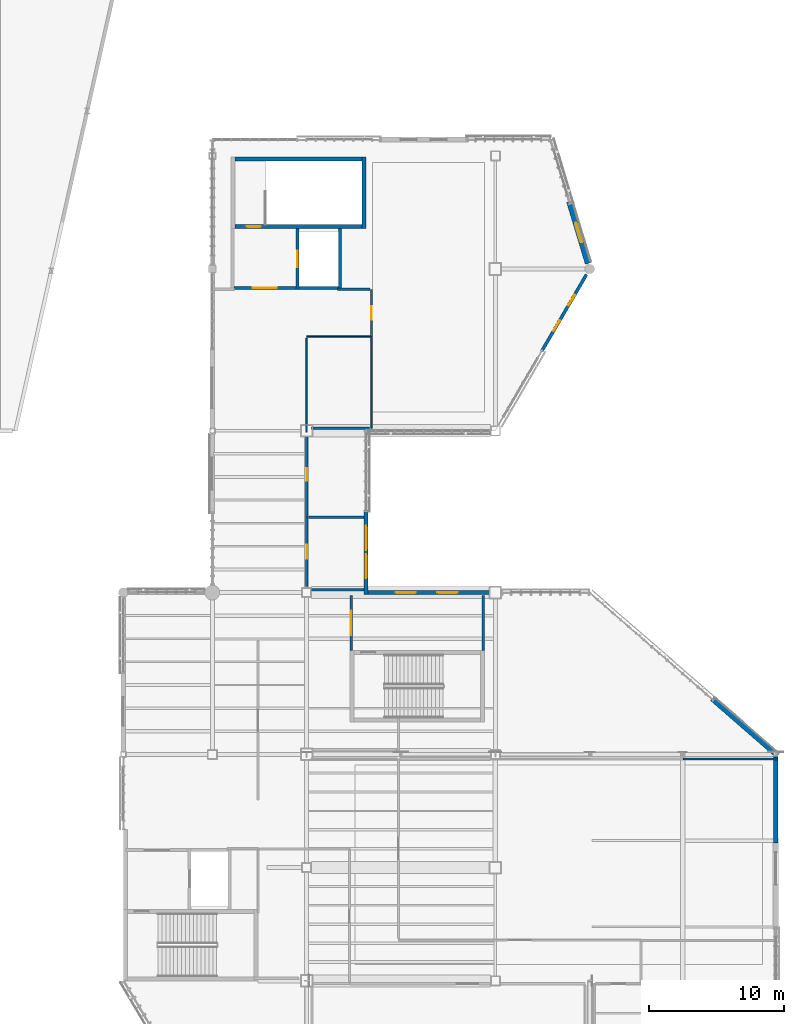
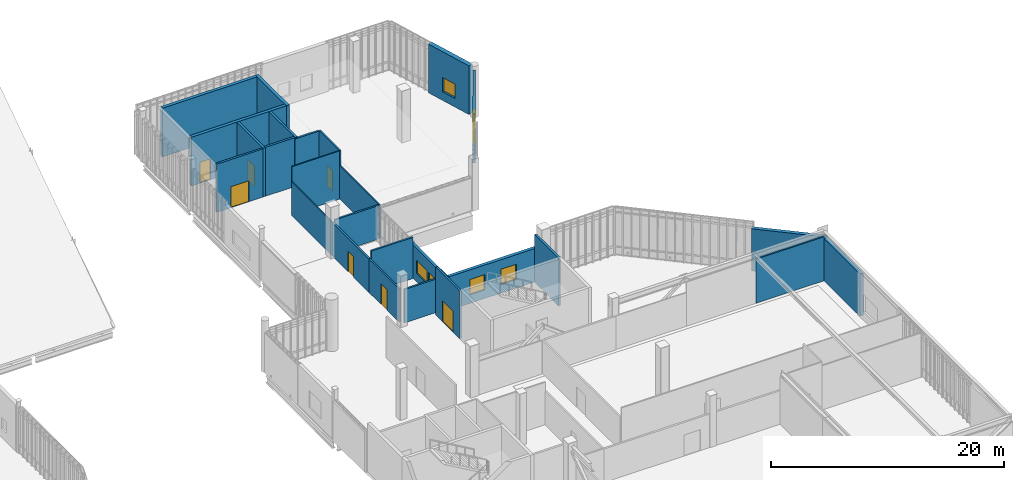
# One storey, part 121 of 135: 26 walls, 7 doors, 7 windows, 14 openings.
"""IFC4 building model written with IfcOpenShell, lengths in metres."""

from ifc_helpers import new_model, si_unit, direction, frame, frame_2d, origin, place, context, subcontext, project, spatial, rectangle, extrude, material, layer, layer_set, type_object, element, fill, save


model = new_model("IFC4")

# Units and contexts
model_context = context("Model", 3, precision=1e-05, world=origin(), true_north=direction((0.0, 1.0)))
body_context = subcontext(model_context, "Body", "Model", "MODEL_VIEW")
ifc_project = project(units=[si_unit("LENGTHUNIT", "METRE"), si_unit("AREAUNIT", "SQUARE_METRE"), si_unit("VOLUMEUNIT", "CUBIC_METRE"), si_unit("PLANEANGLEUNIT", "RADIAN"), si_unit("MASSUNIT", "GRAM", prefix="KILO")], contexts=[model_context])

# Site, building, storey
site_placement = place(None, origin())
site = spatial("IfcSite", under=ifc_project, at=site_placement, CompositionType="ELEMENT")
building_placement = place(site_placement, origin())
building = spatial("IfcBuilding", under=site, at=building_placement, Name="Larkvane Passage Sports Hall", CompositionType="ELEMENT")
storey_placement = place(building_placement, frame((0.0, 0.0, 16.800048828125)))
storey = spatial("IfcBuildingStorey", under=building, at=storey_placement, Name="L03", CompositionType="ELEMENT", Elevation=16.800048828125)

# Wall
ifc_material_1 = material(Name="Concrete C50/60", Category="concrete")
ifc_layer_1 = layer(ifc_material_1, 0.360107421875)
ifc_layer_set_1 = layer_set([ifc_layer_1], Name="Concrete C50/60")
wall_type_1 = type_object("IfcWallType", Name="WL-CORE-360", PredefinedType="SHEAR", material=ifc_layer_set_1)
wall_1_placement = place(storey_placement, frame((135.85009765625, 83.89990234375, 0.0), z_axis=(0.0, 0.0, 1.0), x_axis=(0.0, -1.0, 0.0)))
element("IfcWall", 1, at=wall_1_placement, inside=storey, type_object=wall_type_1, Name="Core shear wall WAL-CORE-C6-L03-E", PredefinedType="SHEAR", context=body_context, shape_type="SweptSolid", body=[
    extrude(rectangle(XDim=5.2998046875, YDim=0.300048828125, at=frame_2d((2.64990234375, 0.0))), origin(), (0.0, 0.0, 1.0), 5.119873046875),
])

# Wall, opening, door
wall_2_placement = place(storey_placement, frame((135.699951171875, 78.75, 0.0), z_axis=(0.0, 0.0, 1.0), x_axis=(-1.0, 0.0, 0.0)))
wall_2 = element("IfcWall", 2, at=wall_2_placement, inside=storey, type_object=wall_type_1, Name="Core shear wall WAL-CORE-C6-L03-S", PredefinedType="SHEAR", context=body_context, shape_type="SweptSolid", body=[
    extrude(rectangle(XDim=9.39990234375, YDim=0.300048828125, at=frame_2d((4.699951171875, 0.0))), origin(), (0.0, 0.0, 1.0), 5.119873046875),
])
opening_1_placement = place(wall_2_placement, frame((7.5, 0.0, 0.0)))
opening_1 = element("IfcOpeningElement", 3, at=opening_1_placement, cuts=wall_2, Name="Opening DF-01", PredefinedType="OPENING", context=body_context, shape_type="SweptSolid", body=[
    extrude(rectangle(XDim=1.050048828125, YDim=2.199951171875, at=frame_2d((0.52490234375, 1.10009765625))), frame((0.0, 0.159912109375, 0.0), z_axis=(0.0, -1.0, 0.0), x_axis=(1.0, 0.0, 0.0)), (0.0, 0.0, 1.0), 0.320068359375),
])
ifc_material_2 = material(Name="Steel S355JR smoke-sealed fire door", Category="steel")
door_type_1 = type_object("IfcDoorType", Name="DR-FIRE-1050", OperationType="NOTDEFINED", PredefinedType="DOOR", material=ifc_material_2)
door_1_placement = place(opening_1_placement, origin())
door_1 = element("IfcDoor", 4, at=door_1_placement, inside=storey, type_object=door_type_1, Name="Stair ST-06 L03 fire door", OperationType="SINGLE_SWING_RIGHT", OverallHeight=2.199951171875, OverallWidth=1.050048828125, PredefinedType="DOOR", context=body_context, shape_type="SweptSolid", body=[
    extrude(rectangle(XDim=1.050048828125, YDim=2.199951171875, at=frame_2d((0.52490234375, 1.10009765625))), frame((0.0, 0.02490234375, 0.0), z_axis=(0.0, -1.0, 0.0), x_axis=(1.0, 0.0, 0.0)), (0.0, 0.0, 1.0), 0.050048828125),
])
fill(opening_1, door_1)

# Wall
wall_3_placement = place(storey_placement, frame((126.300048828125, 83.75, 0.0), z_axis=(0.0, 0.0, 1.0), x_axis=(1.0, 0.0, 0.0)))
element("IfcWall", 5, at=wall_3_placement, inside=storey, type_object=wall_type_1, Name="Core shear wall WAL-CORE-C6-L03-N", PredefinedType="SHEAR", context=body_context, shape_type="SweptSolid", body=[
    extrude(rectangle(XDim=9.39990234375, YDim=0.300048828125, at=frame_2d((4.699951171875, 0.0))), origin(), (0.0, 0.0, 1.0), 5.119873046875),
])

# Wall, openings, windows
ifc_material_3 = material(Name="Concrete C40/50", Category="concrete")
ifc_layer_2 = layer(ifc_material_3, 0.239990234375)
ifc_layer_set_2 = layer_set([ifc_layer_2], Name="Concrete C40/50")
wall_type_2 = type_object("IfcWallType", Name="WL-EXT-240", PredefinedType="SOLIDWALL", material=ifc_layer_set_2)
wall_4_placement = place(storey_placement, frame((152.36083984375, 75.18994140625, 0.0), z_axis=(0.0, 0.0, 1.0), x_axis=(-0.503871025524, -0.863778900898, 0.0)))
wall_4 = element("IfcWall", 6, at=wall_4_placement, inside=storey, type_object=wall_type_2, Name="Exterior wall WAL-EXT-L03-165", PredefinedType="SOLIDWALL", context=body_context, shape_type="SweptSolid", body=[
    extrude(rectangle(XDim=6.586669921875, YDim=0.239990234375, at=frame_2d((3.29345703125, 0.0))), origin(), (0.0, 0.0, 1.0), 5.099853515625),
])
opening_2_placement = place(wall_4_placement, frame((1.74609375, 0.0, 0.89990234375)))
opening_2 = element("IfcOpeningElement", 7, at=opening_2_placement, cuts=wall_4, Name="Opening W-09", PredefinedType="OPENING", context=body_context, shape_type="SweptSolid", body=[
    extrude(rectangle(XDim=0.89990234375, YDim=1.199951171875, at=frame_2d((0.449951171875, 0.60009765625))), frame((0.0, 0.1298828125, 0.0), z_axis=(0.0, -1.0, 0.0), x_axis=(1.0, 0.0, 0.0)), (0.0, 0.0, 1.0), 0.260009765625),
])
opening_3_placement = place(wall_4_placement, frame((3.94091796875, 0.0, 0.89990234375)))
opening_3 = element("IfcOpeningElement", 8, at=opening_3_placement, cuts=wall_4, Name="Opening W-09", PredefinedType="OPENING", context=body_context, shape_type="SweptSolid", body=[
    extrude(rectangle(XDim=0.89990234375, YDim=1.199951171875, at=frame_2d((0.449951171875, 0.60009765625))), frame((0.0, 0.1298828125, 0.0), z_axis=(0.0, -1.0, 0.0), x_axis=(1.0, 0.0, 0.0)), (0.0, 0.0, 1.0), 0.260009765625),
])
ifc_material_4 = material(Name="Thermally broken aluminium and laminated low-E glass", Category="aluminium")
window_type_1 = type_object("IfcWindowType", Name="WN-CAS-900x1200", PartitioningType="SINGLE_PANEL", PredefinedType="WINDOW", material=ifc_material_4)
window_1_placement = place(opening_2_placement, origin())
window_1 = element("IfcWindow", 9, at=window_1_placement, inside=storey, type_object=window_type_1, Name="Window L03-064", OverallHeight=1.199951171875, OverallWidth=0.89990234375, PartitioningType="SINGLE_PANEL", PredefinedType="WINDOW", context=body_context, shape_type="SweptSolid", body=[
    extrude(rectangle(XDim=0.89990234375, YDim=1.199951171875, at=frame_2d((0.449951171875, 0.60009765625))), frame((0.0, 0.030029296875, 0.0), z_axis=(0.0, -1.0, 0.0), x_axis=(1.0, 0.0, 0.0)), (0.0, 0.0, 1.0), 0.06005859375),
])
fill(opening_2, window_1)
window_2_placement = place(opening_3_placement, origin())
window_2 = element("IfcWindow", 10, at=window_2_placement, inside=storey, type_object=window_type_1, Name="Window L03-065", OverallHeight=1.199951171875, OverallWidth=0.89990234375, PartitioningType="SINGLE_PANEL", PredefinedType="WINDOW", context=body_context, shape_type="SweptSolid", body=[
    extrude(rectangle(XDim=0.89990234375, YDim=1.199951171875, at=frame_2d((0.449951171875, 0.60009765625))), frame((0.0, 0.030029296875, 0.0), z_axis=(0.0, -1.0, 0.0), x_axis=(1.0, 0.0, 0.0)), (0.0, 0.0, 1.0), 0.06005859375),
])
fill(opening_3, window_2)

ifc_layer_3 = layer(ifc_material_3, 0.27490234375)
ifc_layer_set_3 = layer_set([ifc_layer_3], Name="Concrete C40/50")
wall_type_3 = type_object("IfcWallType", Name="WL-EXT-275", PredefinedType="SOLIDWALL", material=ifc_layer_set_3)
wall_5_placement = place(storey_placement, frame((136.0, 57.73193359375, 0.0), z_axis=(0.0, 0.0, 1.0), x_axis=(0.0, -1.0, 0.0)))
wall_5 = element("IfcWall", 11, at=wall_5_placement, inside=storey, type_object=wall_type_3, Name="Exterior wall WAL-EXT-L03-166", PredefinedType="SOLIDWALL", context=body_context, shape_type="SweptSolid", body=[
    extrude(rectangle(XDim=6.263916015625, YDim=0.27490234375, at=frame_2d((3.1318359375, 0.0))), origin(), (0.0, 0.0, 1.0), 3.508056640625),
])
opening_4_placement = place(wall_5_placement, frame((1.18798828125, 0.0, 0.89990234375)))
opening_4 = element("IfcOpeningElement", 12, at=opening_4_placement, cuts=wall_5, Name="Opening W-10", PredefinedType="OPENING", context=body_context, shape_type="SweptSolid", body=[
    extrude(rectangle(XDim=1.800048828125, YDim=1.35009765625, at=frame_2d((0.89990234375, 0.675048828125))), frame((0.0, 0.1474609375, 0.0), z_axis=(0.0, -1.0, 0.0), x_axis=(1.0, 0.0, 0.0)), (0.0, 0.0, 1.0), 0.294921875),
])
opening_5_placement = place(wall_5_placement, frame((3.27587890625, 0.0, 0.89990234375)))
opening_5 = element("IfcOpeningElement", 13, at=opening_5_placement, cuts=wall_5, Name="Opening W-10", PredefinedType="OPENING", context=body_context, shape_type="SweptSolid", body=[
    extrude(rectangle(XDim=1.800048828125, YDim=1.35009765625, at=frame_2d((0.89990234375, 0.675048828125))), frame((0.0, 0.1474609375, 0.0), z_axis=(0.0, -1.0, 0.0), x_axis=(1.0, 0.0, 0.0)), (0.0, 0.0, 1.0), 0.294921875),
])
window_type_2 = type_object("IfcWindowType", Name="WN-CAS-1800x1350", PartitioningType="DOUBLE_PANEL_VERTICAL", PredefinedType="WINDOW", material=ifc_material_4)
window_3_placement = place(opening_4_placement, origin())
window_3 = element("IfcWindow", 14, at=window_3_placement, inside=storey, type_object=window_type_2, Name="Window L03-066", OverallHeight=1.35009765625, OverallWidth=1.800048828125, PartitioningType="DOUBLE_PANEL_VERTICAL", PredefinedType="WINDOW", context=body_context, shape_type="SweptSolid", body=[
    extrude(rectangle(XDim=1.800048828125, YDim=1.35009765625, at=frame_2d((0.89990234375, 0.675048828125))), frame((0.0, 0.030029296875, 0.0), z_axis=(0.0, -1.0, 0.0), x_axis=(1.0, 0.0, 0.0)), (0.0, 0.0, 1.0), 0.06005859375),
])
fill(opening_4, window_3)
window_4_placement = place(opening_5_placement, origin())
window_4 = element("IfcWindow", 15, at=window_4_placement, inside=storey, type_object=window_type_2, Name="Window L03-067", OverallHeight=1.35009765625, OverallWidth=1.800048828125, PartitioningType="DOUBLE_PANEL_VERTICAL", PredefinedType="WINDOW", context=body_context, shape_type="SweptSolid", body=[
    extrude(rectangle(XDim=1.800048828125, YDim=1.35009765625, at=frame_2d((0.89990234375, 0.675048828125))), frame((0.0, 0.030029296875, 0.0), z_axis=(0.0, -1.0, 0.0), x_axis=(1.0, 0.0, 0.0)), (0.0, 0.0, 1.0), 0.06005859375),
])
fill(opening_5, window_4)

ifc_material_5 = material(Name="Precast concrete C45/55", Category="concrete")
ifc_layer_4 = layer(ifc_material_5, 0.31005859375)
ifc_layer_set_4 = layer_set([ifc_layer_4], Name="Precast concrete C45/55")
wall_type_4 = type_object("IfcWallType", Name="WL-EXT-310", PredefinedType="SOLIDWALL", material=ifc_layer_set_4)
wall_6_placement = place(storey_placement, frame((135.851318359375, 51.60009765625, 0.0), z_axis=(0.0, 0.0, 1.0), x_axis=(1.0, 0.0, 0.0)))
wall_6 = element("IfcWall", 16, at=wall_6_placement, inside=storey, type_object=wall_type_4, Name="Exterior wall WAL-EXT-L03-167", PredefinedType="SOLIDWALL", context=body_context, shape_type="SweptSolid", body=[
    extrude(rectangle(XDim=9.302734375, YDim=0.31005859375, at=frame_2d((4.6513671875, 0.0))), origin(), (0.0, 0.0, 1.0), 3.508056640625),
])
opening_6_placement = place(wall_6_placement, frame((2.35107421875, 0.0, 0.89990234375)))
opening_6 = element("IfcOpeningElement", 17, at=opening_6_placement, cuts=wall_6, Name="Opening W-01", PredefinedType="OPENING", context=body_context, shape_type="SweptSolid", body=[
    extrude(rectangle(XDim=1.5, YDim=1.60009765625, at=frame_2d((0.75, 0.800048828125))), frame((0.0, 0.1650390625, 0.0), z_axis=(0.0, -1.0, 0.0), x_axis=(1.0, 0.0, 0.0)), (0.0, 0.0, 1.0), 0.330078125),
])
opening_7_placement = place(wall_6_placement, frame((5.451904296875, 0.0, 0.89990234375)))
opening_7 = element("IfcOpeningElement", 18, at=opening_7_placement, cuts=wall_6, Name="Opening W-01", PredefinedType="OPENING", context=body_context, shape_type="SweptSolid", body=[
    extrude(rectangle(XDim=1.5, YDim=1.60009765625, at=frame_2d((0.75, 0.800048828125))), frame((0.0, 0.1650390625, 0.0), z_axis=(0.0, -1.0, 0.0), x_axis=(1.0, 0.0, 0.0)), (0.0, 0.0, 1.0), 0.330078125),
])
window_type_3 = type_object("IfcWindowType", Name="WN-FIX-1500x1600", PartitioningType="SINGLE_PANEL", PredefinedType="WINDOW", material=ifc_material_4)
window_5_placement = place(opening_6_placement, origin())
window_5 = element("IfcWindow", 19, at=window_5_placement, inside=storey, type_object=window_type_3, Name="Window L03-068", OverallHeight=1.60009765625, OverallWidth=1.5, PartitioningType="SINGLE_PANEL", PredefinedType="WINDOW", context=body_context, shape_type="SweptSolid", body=[
    extrude(rectangle(XDim=1.5, YDim=1.60009765625, at=frame_2d((0.75, 0.800048828125))), frame((0.0, 0.030029296875, 0.0), z_axis=(0.0, -1.0, 0.0), x_axis=(1.0, 0.0, 0.0)), (0.0, 0.0, 1.0), 0.06005859375),
])
fill(opening_6, window_5)
window_6_placement = place(opening_7_placement, origin())
window_6 = element("IfcWindow", 20, at=window_6_placement, inside=storey, type_object=window_type_3, Name="Window L03-069", OverallHeight=1.60009765625, OverallWidth=1.5, PartitioningType="SINGLE_PANEL", PredefinedType="WINDOW", context=body_context, shape_type="SweptSolid", body=[
    extrude(rectangle(XDim=1.5, YDim=1.60009765625, at=frame_2d((0.75, 0.800048828125))), frame((0.0, 0.030029296875, 0.0), z_axis=(0.0, -1.0, 0.0), x_axis=(1.0, 0.0, 0.0)), (0.0, 0.0, 1.0), 0.06005859375),
])
fill(opening_7, window_6)

# Walls
ifc_layer_5 = layer(ifc_material_5, 0.344970703125)
ifc_layer_set_5 = layer_set([ifc_layer_5], Name="Precast concrete C45/55")
wall_type_5 = type_object("IfcWallType", Name="WL-EXT-345", PredefinedType="SOLIDWALL", material=ifc_layer_set_5)
wall_7_placement = place(storey_placement, frame((161.675048828125, 43.708740234375, 0.0), z_axis=(0.0, 0.0, 1.0), x_axis=(0.754585077418, -0.656202225643, 0.0)))
element("IfcWall", 21, at=wall_7_placement, inside=storey, type_object=wall_type_5, Name="Exterior wall WAL-EXT-L03-168", PredefinedType="SOLIDWALL", context=body_context, shape_type="SweptSolid", body=[
    extrude(rectangle(XDim=6.42724609375, YDim=0.344970703125, at=frame_2d((3.213623046875, 0.0))), origin(), (0.0, 0.0, 1.0), 4.419921875),
])
wall_8_placement = place(storey_placement, frame((166.39990234375, 39.765625, 0.0), z_axis=(0.0, 0.0, 1.0), x_axis=(0.0, -1.0, 0.0)))
element("IfcWall", 22, at=wall_8_placement, inside=storey, type_object=wall_type_5, Name="Exterior wall WAL-EXT-L03-169", PredefinedType="SOLIDWALL", context=body_context, shape_type="SweptSolid", body=[
    extrude(rectangle(XDim=6.731201171875, YDim=0.344970703125, at=frame_2d((3.36572265625, 0.0))), origin(), (0.0, 0.0, 1.0), 4.419921875),
])

# Wall, opening, window
ifc_layer_6 = layer(ifc_material_3, 0.425048828125)
ifc_layer_set_6 = layer_set([ifc_layer_6], Name="Concrete C40/50")
wall_type_6 = type_object("IfcWallType", Name="WL-EXT-425", PredefinedType="SOLIDWALL", material=ifc_layer_set_6)
wall_9_placement = place(storey_placement, frame((151.091064453125, 80.59521484375, 0.0), z_axis=(0.0, 0.0, 1.0), x_axis=(0.289196007767, -0.957269903994, 0.0)))
wall_9 = element("IfcWall", 23, at=wall_9_placement, inside=storey, type_object=wall_type_6, Name="Exterior wall WAL-EXT-L03-164", PredefinedType="SOLIDWALL", context=body_context, shape_type="SweptSolid", body=[
    extrude(rectangle(XDim=4.785888671875, YDim=0.425048828125, at=frame_2d((2.39306640625, 0.0))), origin(), (0.0, 0.0, 1.0), 5.099853515625),
])
opening_8_placement = place(wall_9_placement, frame((1.64306640625, 0.0, 0.89990234375)))
opening_8 = element("IfcOpeningElement", 24, at=opening_8_placement, cuts=wall_9, Name="Opening W-08", PredefinedType="OPENING", context=body_context, shape_type="SweptSolid", body=[
    extrude(rectangle(XDim=1.5, YDim=1.5, at=frame_2d((0.75, 0.75))), frame((0.0, 0.222412109375, 0.0), z_axis=(0.0, -1.0, 0.0), x_axis=(1.0, 0.0, 0.0)), (0.0, 0.0, 1.0), 0.445068359375),
])
window_type_4 = type_object("IfcWindowType", Name="WN-CAS-1500x1500", PartitioningType="DOUBLE_PANEL_VERTICAL", PredefinedType="WINDOW", material=ifc_material_4)
window_7_placement = place(opening_8_placement, origin())
window_7 = element("IfcWindow", 25, at=window_7_placement, inside=storey, type_object=window_type_4, Name="Window L03-063", OverallHeight=1.5, OverallWidth=1.5, PartitioningType="DOUBLE_PANEL_VERTICAL", PredefinedType="WINDOW", context=body_context, shape_type="SweptSolid", body=[
    extrude(rectangle(XDim=1.5, YDim=1.5, at=frame_2d((0.75, 0.75))), frame((0.0, 0.030029296875, 0.0), z_axis=(0.0, -1.0, 0.0), x_axis=(1.0, 0.0, 0.0)), (0.0, 0.0, 1.0), 0.06005859375),
])
fill(opening_8, window_7)

# Wall, opening, door
ifc_layer_7 = layer(ifc_material_3, 0.199951171875)
ifc_layer_set_7 = layer_set([ifc_layer_7], Name="Concrete C40/50")
wall_type_7 = type_object("IfcWallType", Name="WL-LOBBY-200", PredefinedType="SOLIDWALL", material=ifc_layer_set_7)
wall_10_placement = place(storey_placement, frame((126.199951171875, 74.199951171875, 0.0), z_axis=(0.0, 0.0, 1.0), x_axis=(1.0, 0.0, 0.0)))
wall_10 = element("IfcWall", 26, at=wall_10_placement, inside=storey, type_object=wall_type_7, Name="Protected stair lobby wall C6 L03", PredefinedType="SOLIDWALL", context=body_context, shape_type="SweptSolid", body=[
    extrude(rectangle(XDim=4.60009765625, YDim=0.199951171875, at=frame_2d((2.300048828125, 0.0))), origin(), (0.0, 0.0, 1.0), 5.050048828125),
])
opening_9_placement = place(wall_10_placement, frame((1.39990234375, 0.0, 0.0)))
opening_9 = element("IfcOpeningElement", 27, at=opening_9_placement, cuts=wall_10, Name="Opening DF-02", PredefinedType="OPENING", context=body_context, shape_type="SweptSolid", body=[
    extrude(rectangle(XDim=1.800048828125, YDim=2.199951171875, at=frame_2d((0.89990234375, 1.10009765625))), frame((0.0, 0.10986328125, 0.0), z_axis=(0.0, -1.0, 0.0), x_axis=(1.0, 0.0, 0.0)), (0.0, 0.0, 1.0), 0.219970703125),
])
ifc_material_6 = material(Name="Steel S355JR double smoke-sealed fire door", Category="steel")
door_type_2 = type_object("IfcDoorType", Name="DR-FIRE-1800", OperationType="DOUBLE_DOOR_SINGLE_SWING", PredefinedType="DOOR", material=ifc_material_6)
door_2_placement = place(opening_9_placement, origin())
door_2 = element("IfcDoor", 28, at=door_2_placement, inside=storey, type_object=door_type_2, Name="Lobby smoke door C6 L03", OperationType="DOUBLE_DOOR_SINGLE_SWING", OverallHeight=2.199951171875, OverallWidth=1.800048828125, PredefinedType="DOOR", context=body_context, shape_type="SweptSolid", body=[
    extrude(rectangle(XDim=1.800048828125, YDim=2.199951171875, at=frame_2d((0.89990234375, 1.10009765625))), frame((0.0, 0.02490234375, 0.0), z_axis=(0.0, -1.0, 0.0), x_axis=(1.0, 0.0, 0.0)), (0.0, 0.0, 1.0), 0.050048828125),
])
fill(opening_9, door_2)

wall_11_placement = place(storey_placement, frame((134.89990234375, 47.300048828125, 0.0), z_axis=(0.0, 0.0, 1.0), x_axis=(0.0, 1.0, 0.0)))
wall_11 = element("IfcWall", 29, at=wall_11_placement, inside=storey, type_object=wall_type_7, Name="Protected stair lobby wall C7 L03", PredefinedType="SOLIDWALL", context=body_context, shape_type="SweptSolid", body=[
    extrude(rectangle(XDim=4.099853515625, YDim=0.199951171875, at=frame_2d((2.0498046875, 0.0))), origin(), (0.0, 0.0, 1.0), 5.030029296875),
])
opening_10_placement = place(wall_11_placement, frame((1.14990234375, 0.0, 0.0)))
opening_10 = element("IfcOpeningElement", 30, at=opening_10_placement, cuts=wall_11, Name="Opening DF-02", PredefinedType="OPENING", context=body_context, shape_type="SweptSolid", body=[
    extrude(rectangle(XDim=1.800048828125, YDim=2.199951171875, at=frame_2d((0.89990234375, 1.10009765625))), frame((0.0, 0.10986328125, 0.0), z_axis=(0.0, -1.0, 0.0), x_axis=(1.0, 0.0, 0.0)), (0.0, 0.0, 1.0), 0.219970703125),
])
door_3_placement = place(opening_10_placement, origin())
door_3 = element("IfcDoor", 31, at=door_3_placement, inside=storey, type_object=door_type_2, Name="Lobby smoke door C7 L03", OperationType="DOUBLE_DOOR_SINGLE_SWING", OverallHeight=2.199951171875, OverallWidth=1.800048828125, PredefinedType="DOOR", context=body_context, shape_type="SweptSolid", body=[
    extrude(rectangle(XDim=1.800048828125, YDim=2.199951171875, at=frame_2d((0.89990234375, 1.10009765625))), frame((0.0, 0.02490234375, 0.0), z_axis=(0.0, -1.0, 0.0), x_axis=(1.0, 0.0, 0.0)), (0.0, 0.0, 1.0), 0.050048828125),
])
fill(opening_10, door_3)

# Walls
wall_12_placement = place(storey_placement, frame((144.699951171875, 47.300048828125, 0.0), z_axis=(0.0, 0.0, 1.0), x_axis=(0.0, 1.0, 0.0)))
element("IfcWall", 32, at=wall_12_placement, inside=storey, type_object=wall_type_7, Name="Lobby east enclosure wall C7 L03", PredefinedType="SOLIDWALL", context=body_context, shape_type="SweptSolid", body=[
    extrude(rectangle(XDim=4.099853515625, YDim=0.199951171875, at=frame_2d((2.0498046875, 0.0))), origin(), (0.0, 0.0, 1.0), 5.030029296875),
])
ifc_material_7 = material(Name="Gypsum twin-stud acoustic partition")
ifc_layer_8 = layer(ifc_material_7, 0.10009765625)
ifc_layer_set_8 = layer_set([ifc_layer_8], Name="Gypsum twin-stud acoustic partition")
wall_type_8 = type_object("IfcWallType", Name="WL-PART-100", PredefinedType="PARTITIONING", material=ifc_layer_set_8)
wall_13_placement = place(storey_placement, frame((136.300048828125, 70.60009765625, 0.0), z_axis=(0.0, 0.0, 1.0), x_axis=(-1.0, 0.0, 0.0)))
element("IfcWall", 33, at=wall_13_placement, inside=storey, type_object=wall_type_8, Name="Interior partition WAL-PART-L03-0373", PredefinedType="PARTITIONING", context=body_context, shape_type="SweptSolid", body=[
    extrude(rectangle(XDim=4.699951171875, YDim=0.10009765625, at=frame_2d((2.35009765625, 0.0))), origin(), (0.0, 0.0, 1.0), 5.050048828125),
])
ifc_material_8 = material(Name="Gypsum twin-stud fire-rated partition")
ifc_layer_9 = layer(ifc_material_8, 0.125)
ifc_layer_set_9 = layer_set([ifc_layer_9], Name="Gypsum twin-stud fire-rated partition")
wall_type_9 = type_object("IfcWallType", Name="WL-PART-125", PredefinedType="PARTITIONING", material=ifc_layer_set_9)
wall_14_placement = place(storey_placement, frame((136.39990234375, 63.780029296875, 0.0), z_axis=(0.0, 0.0, 1.0), x_axis=(0.0, 1.0, 0.0)))
element("IfcWall", 34, at=wall_14_placement, inside=storey, type_object=wall_type_9, Name="Interior partition WAL-PART-L03-0346", PredefinedType="PARTITIONING", context=body_context, shape_type="SweptSolid", body=[
    extrude(rectangle(XDim=6.800048828125, YDim=0.125, at=frame_2d((3.39990234375, 0.0))), origin(), (0.0, 0.0, 1.0), 3.510009765625),
])
wall_15_placement = place(storey_placement, frame((131.60009765625, 70.47998046875, 0.0), z_axis=(0.0, 0.0, 1.0), x_axis=(0.0, -1.0, 0.0)))
element("IfcWall", 35, at=wall_15_placement, inside=storey, type_object=wall_type_9, Name="Interior partition WAL-PART-L03-0374", PredefinedType="PARTITIONING", context=body_context, shape_type="SweptSolid", body=[
    extrude(rectangle(XDim=7.0, YDim=0.125, at=frame_2d((3.5, 0.0))), origin(), (0.0, 0.0, 1.0), 3.510009765625),
])
ifc_material_9 = material(Name="Gypsum acoustic partition")
ifc_layer_10 = layer(ifc_material_9, 0.14990234375)
ifc_layer_set_10 = layer_set([ifc_layer_10], Name="Gypsum acoustic partition")
wall_type_10 = type_object("IfcWallType", Name="WL-PART-150", PredefinedType="PARTITIONING", material=ifc_layer_set_10)
wall_16_placement = place(storey_placement, frame((159.5, 39.260009765625, 0.0), z_axis=(0.0, 0.0, 1.0), x_axis=(1.0, 0.0, 0.0)))
element("IfcWall", 36, at=wall_16_placement, inside=storey, type_object=wall_type_10, Name="Interior partition WAL-PART-L03-0327", PredefinedType="PARTITIONING", context=body_context, shape_type="SweptSolid", body=[
    extrude(rectangle(XDim=7.051513671875, YDim=0.14990234375, at=frame_2d((3.52587890625, 0.0))), origin(), (0.0, 0.0, 1.0), 4.619873046875),
])

# Wall, opening, door
wall_17_placement = place(storey_placement, frame((136.419921875, 70.60009765625, 0.0), z_axis=(0.0, 0.0, 1.0), x_axis=(0.0, 1.0, 0.0)))
wall_17 = element("IfcWall", 37, at=wall_17_placement, inside=storey, type_object=wall_type_10, Name="Interior partition WAL-PART-L03-0347", PredefinedType="PARTITIONING", context=body_context, shape_type="SweptSolid", body=[
    extrude(rectangle(XDim=3.5, YDim=0.14990234375, at=frame_2d((1.75, 0.0))), origin(), (0.0, 0.0, 1.0), 5.050048828125),
])
opening_11_placement = place(wall_17_placement, frame((1.25, 0.0, 0.0)))
opening_11 = element("IfcOpeningElement", 38, at=opening_11_placement, cuts=wall_17, Name="Opening DI-01", PredefinedType="OPENING", context=body_context, shape_type="SweptSolid", body=[
    extrude(rectangle(XDim=1.0, YDim=2.14990234375, at=frame_2d((0.5, 1.074951171875))), frame((0.0, 0.0849609375, 0.0), z_axis=(0.0, -1.0, 0.0), x_axis=(1.0, 0.0, 0.0)), (0.0, 0.0, 1.0), 0.169921875),
])
ifc_material_10 = material(Name="Solid-core hardwood acoustic door", Category="wood")
door_type_3 = type_object("IfcDoorType", Name="DR-INT-1000", OperationType="NOTDEFINED", PredefinedType="DOOR", material=ifc_material_10)
door_4_placement = place(opening_11_placement, origin())
door_4 = element("IfcDoor", 39, at=door_4_placement, inside=storey, type_object=door_type_3, Name="Interior door L03-0102", OperationType="SINGLE_SWING_RIGHT", OverallHeight=2.14990234375, OverallWidth=1.0, PredefinedType="DOOR", context=body_context, shape_type="SweptSolid", body=[
    extrude(rectangle(XDim=1.0, YDim=2.14990234375, at=frame_2d((0.5, 1.074951171875))), frame((0.0, 0.02490234375, 0.0), z_axis=(0.0, -1.0, 0.0), x_axis=(1.0, 0.0, 0.0)), (0.0, 0.0, 1.0), 0.050048828125),
])
fill(opening_11, door_4)

# Walls
ifc_material_11 = material(Name="Gypsum high-bay court partition")
ifc_layer_11 = layer(ifc_material_11, 0.179931640625)
ifc_layer_set_11 = layer_set([ifc_layer_11], Name="Gypsum high-bay court partition")
wall_type_11 = type_object("IfcWallType", Name="WL-PART-180", PredefinedType="PARTITIONING", material=ifc_layer_set_11)
wall_18_placement = place(storey_placement, frame((133.89990234375, 74.10009765625, 0.0), z_axis=(0.0, 0.0, 1.0), x_axis=(1.0, 0.0, 0.0)))
element("IfcWall", 40, at=wall_18_placement, inside=storey, type_object=wall_type_11, Name="Interior partition WAL-PART-L03-0372", PredefinedType="PARTITIONING", context=body_context, shape_type="SweptSolid", body=[
    extrude(rectangle(XDim=2.400146484375, YDim=0.179931640625, at=frame_2d((1.2001953125, 0.0))), origin(), (0.0, 0.0, 1.0), 5.050048828125),
])
ifc_material_12 = material(Name="Moisture-resistant shaftliner partition")
ifc_layer_12 = layer(ifc_material_12, 0.175048828125)
ifc_layer_set_12 = layer_set([ifc_layer_12], Name="Moisture-resistant shaftliner partition")
wall_type_12 = type_object("IfcWallType", Name="WL-PLUMB-175", PredefinedType="PLUMBINGWALL", material=ifc_layer_set_12)
wall_19_placement = place(storey_placement, frame((135.866455078125, 51.800048828125, 0.0), z_axis=(0.0, 0.0, 1.0), x_axis=(-1.0, 0.0, 0.0)))
element("IfcWall", 41, at=wall_19_placement, inside=storey, type_object=wall_type_12, Name="Interior partition WAL-PART-L03-0348", PredefinedType="PLUMBINGWALL", context=body_context, shape_type="SweptSolid", body=[
    extrude(rectangle(XDim=3.994384765625, YDim=0.175048828125, at=frame_2d((1.9970703125, 0.0))), origin(), (0.0, 0.0, 1.0), 3.510009765625),
])

# Wall, opening, door
wall_20_placement = place(storey_placement, frame((131.6201171875, 52.052001953125, 0.0), z_axis=(0.0, 0.0, 1.0), x_axis=(0.0, 1.0, 0.0)))
wall_20 = element("IfcWall", 42, at=wall_20_placement, inside=storey, type_object=wall_type_12, Name="Interior partition WAL-PART-L03-0349", PredefinedType="PLUMBINGWALL", context=body_context, shape_type="SweptSolid", body=[
    extrude(rectangle(XDim=5.14794921875, YDim=0.175048828125, at=frame_2d((2.573974609375, 0.0))), origin(), (0.0, 0.0, 1.0), 3.510009765625),
])
opening_12_placement = place(wall_20_placement, frame((2.049072265625, 0.0, 0.0)))
opening_12 = element("IfcOpeningElement", 43, at=opening_12_placement, cuts=wall_20, Name="Opening DI-04", PredefinedType="OPENING", context=body_context, shape_type="SweptSolid", body=[
    extrude(rectangle(XDim=1.050048828125, YDim=2.14990234375, at=frame_2d((0.52490234375, 1.074951171875))), frame((0.0, 0.097412109375, 0.0), z_axis=(0.0, -1.0, 0.0), x_axis=(1.0, 0.0, 0.0)), (0.0, 0.0, 1.0), 0.195068359375),
])
ifc_material_13 = material(Name="Accessible wide-leaf sanitary door")
door_type_4 = type_object("IfcDoorType", Name="DR-ACC-1050", OperationType="NOTDEFINED", PredefinedType="DOOR", material=ifc_material_13)
door_5_placement = place(opening_12_placement, origin())
door_5 = element("IfcDoor", 44, at=door_5_placement, inside=storey, type_object=door_type_4, Name="Interior door L03-0100", OperationType="SINGLE_SWING_RIGHT", OverallHeight=2.14990234375, OverallWidth=1.050048828125, PredefinedType="DOOR", context=body_context, shape_type="SweptSolid", body=[
    extrude(rectangle(XDim=1.050048828125, YDim=2.14990234375, at=frame_2d((0.52490234375, 1.074951171875))), frame((0.0, 0.02490234375, 0.0), z_axis=(0.0, -1.0, 0.0), x_axis=(1.0, 0.0, 0.0)), (0.0, 0.0, 1.0), 0.050048828125),
])
fill(opening_12, door_5)

# Wall
wall_21_placement = place(storey_placement, frame((131.739990234375, 57.199951171875, 0.0), z_axis=(0.0, 0.0, 1.0), x_axis=(1.0, 0.0, 0.0)))
element("IfcWall", 45, at=wall_21_placement, inside=storey, type_object=wall_type_12, Name="Interior partition WAL-PART-L03-0350", PredefinedType="PLUMBINGWALL", context=body_context, shape_type="SweptSolid", body=[
    extrude(rectangle(XDim=4.12646484375, YDim=0.175048828125, at=frame_2d((2.063232421875, 0.0))), origin(), (0.0, 0.0, 1.0), 4.31787109375),
])

# Wall, opening, door
wall_22_placement = place(storey_placement, frame((131.6201171875, 57.219970703125, 0.0), z_axis=(0.0, 0.0, 1.0), x_axis=(0.0, 1.0, 0.0)))
wall_22 = element("IfcWall", 46, at=wall_22_placement, inside=storey, type_object=wall_type_12, Name="Interior partition WAL-PART-L03-0351", PredefinedType="PLUMBINGWALL", context=body_context, shape_type="SweptSolid", body=[
    extrude(rectangle(XDim=6.256103515625, YDim=0.175048828125, at=frame_2d((3.1279296875, 0.0))), origin(), (0.0, 0.0, 1.0), 3.510009765625),
])
opening_13_placement = place(wall_22_placement, frame((2.66796875, 0.0, 0.0)))
opening_13 = element("IfcOpeningElement", 47, at=opening_13_placement, cuts=wall_22, Name="Opening DI-02", PredefinedType="OPENING", context=body_context, shape_type="SweptSolid", body=[
    extrude(rectangle(XDim=0.919921875, YDim=2.14990234375, at=frame_2d((0.4599609375, 1.074951171875))), frame((0.0, 0.097412109375, 0.0), z_axis=(0.0, -1.0, 0.0), x_axis=(1.0, 0.0, 0.0)), (0.0, 0.0, 1.0), 0.195068359375),
])
ifc_material_14 = material(Name="Moisture-resistant laminate room door")
door_type_5 = type_object("IfcDoorType", Name="DR-INT-900", OperationType="NOTDEFINED", PredefinedType="DOOR", material=ifc_material_14)
door_6_placement = place(opening_13_placement, origin())
door_6 = element("IfcDoor", 48, at=door_6_placement, inside=storey, type_object=door_type_5, Name="Interior door L03-0099", OperationType="SINGLE_SWING_LEFT", OverallHeight=2.14990234375, OverallWidth=0.919921875, PredefinedType="DOOR", context=body_context, shape_type="SweptSolid", body=[
    extrude(rectangle(XDim=0.919921875, YDim=2.14990234375, at=frame_2d((0.4599609375, 1.074951171875))), frame((0.0, 0.02490234375, 0.0), z_axis=(0.0, -1.0, 0.0), x_axis=(1.0, 0.0, 0.0)), (0.0, 0.0, 1.0), 0.050048828125),
])
fill(opening_13, door_6)

# Wall
wall_23_placement = place(storey_placement, frame((131.944091796875, 63.800048828125, 0.0), z_axis=(0.0, 0.0, 1.0), x_axis=(1.0, 0.0, 0.0)))
element("IfcWall", 49, at=wall_23_placement, inside=storey, type_object=wall_type_12, Name="Interior partition WAL-PART-L03-0352", PredefinedType="PLUMBINGWALL", context=body_context, shape_type="SweptSolid", body=[
    extrude(rectangle(XDim=4.3359375, YDim=0.175048828125, at=frame_2d((2.16796875, 0.0))), origin(), (0.0, 0.0, 1.0), 3.510009765625),
])

# Wall, opening, door
ifc_layer_13 = layer(ifc_material_3, 0.219970703125)
ifc_layer_set_13 = layer_set([ifc_layer_13], Name="Concrete C40/50")
wall_type_13 = type_object("IfcWallType", Name="WL-SHAFT-220", PredefinedType="SOLIDWALL", material=ifc_layer_set_13)
wall_24_placement = place(storey_placement, frame((130.909912109375, 74.10009765625, 0.0), z_axis=(0.0, 0.0, 1.0), x_axis=(0.0, 1.0, 0.0)))
wall_24 = element("IfcWall", 50, at=wall_24_placement, inside=storey, type_object=wall_type_13, Name="Lift shaft front wall L-06 L03", PredefinedType="SOLIDWALL", context=body_context, shape_type="SweptSolid", body=[
    extrude(rectangle(XDim=4.5, YDim=0.219970703125, at=frame_2d((2.25, 0.0))), origin(), (0.0, 0.0, 1.0), 5.119873046875),
])
opening_14_placement = place(wall_24_placement, frame((1.64990234375, 0.0, 0.0)))
opening_14 = element("IfcOpeningElement", 51, at=opening_14_placement, cuts=wall_24, Name="Opening LD-01", PredefinedType="OPENING", context=body_context, shape_type="SweptSolid", body=[
    extrude(rectangle(XDim=1.199951171875, YDim=2.199951171875, at=frame_2d((0.60009765625, 1.10009765625))), frame((0.0, 0.119873046875, 0.0), z_axis=(0.0, -1.0, 0.0), x_axis=(1.0, 0.0, 0.0)), (0.0, 0.0, 1.0), 0.239990234375),
])
ifc_material_15 = material(Name="Stainless steel S355JR lift landing door", Category="steel")
door_type_6 = type_object("IfcDoorType", Name="DR-LIFT-1200", OperationType="SLIDING_TO_LEFT", PredefinedType="DOOR", material=ifc_material_15)
door_7_placement = place(opening_14_placement, origin())
door_7 = element("IfcDoor", 52, at=door_7_placement, inside=storey, type_object=door_type_6, Name="Lift landing door L-06 L03", OperationType="SLIDING_TO_LEFT", OverallHeight=2.199951171875, OverallWidth=1.199951171875, PredefinedType="DOOR", context=body_context, shape_type="SweptSolid", body=[
    extrude(rectangle(XDim=1.199951171875, YDim=2.199951171875, at=frame_2d((0.60009765625, 1.10009765625))), frame((0.0, 0.02490234375, 0.0), z_axis=(0.0, -1.0, 0.0), x_axis=(1.0, 0.0, 0.0)), (0.0, 0.0, 1.0), 0.050048828125),
])
fill(opening_14, door_7)

# Walls
wall_25_placement = place(storey_placement, frame((134.090087890625, 74.10009765625, 0.0), z_axis=(0.0, 0.0, 1.0), x_axis=(0.0, 1.0, 0.0)))
element("IfcWall", 53, at=wall_25_placement, inside=storey, type_object=wall_type_13, Name="Lift shaft rear wall L-06 L03", PredefinedType="SOLIDWALL", context=body_context, shape_type="SweptSolid", body=[
    extrude(rectangle(XDim=4.5, YDim=0.219970703125, at=frame_2d((2.25, 0.0))), origin(), (0.0, 0.0, 1.0), 5.119873046875),
])
wall_26_placement = place(storey_placement, frame((131.02001953125, 74.2099609375, 0.0), z_axis=(0.0, 0.0, 1.0), x_axis=(1.0, 0.0, 0.0)))
element("IfcWall", 54, at=wall_26_placement, inside=storey, type_object=wall_type_13, Name="Lift shaft end wall L-06 L03", PredefinedType="SOLIDWALL", context=body_context, shape_type="SweptSolid", body=[
    extrude(rectangle(XDim=2.9599609375, YDim=0.219970703125, at=frame_2d((1.47998046875, 0.0))), origin(), (0.0, 0.0, 1.0), 5.119873046875),
])

save(model, "model.ifc")
